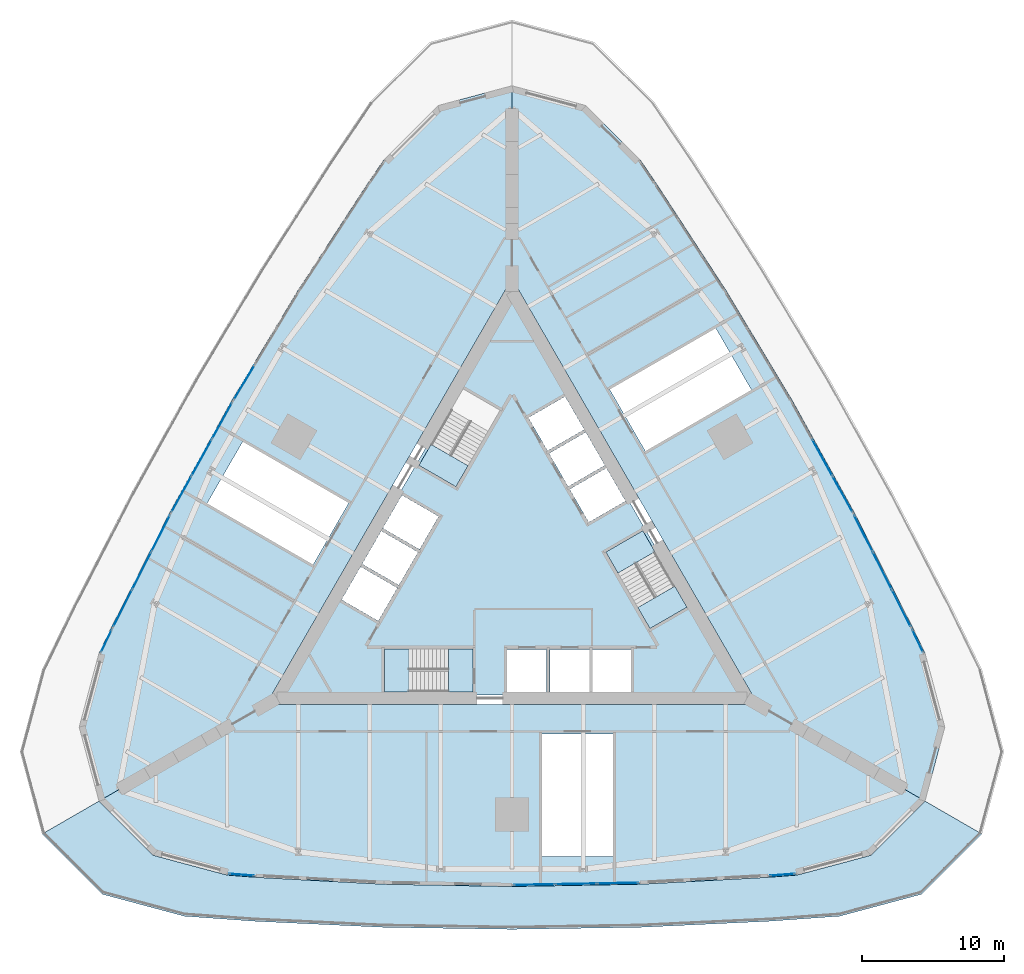
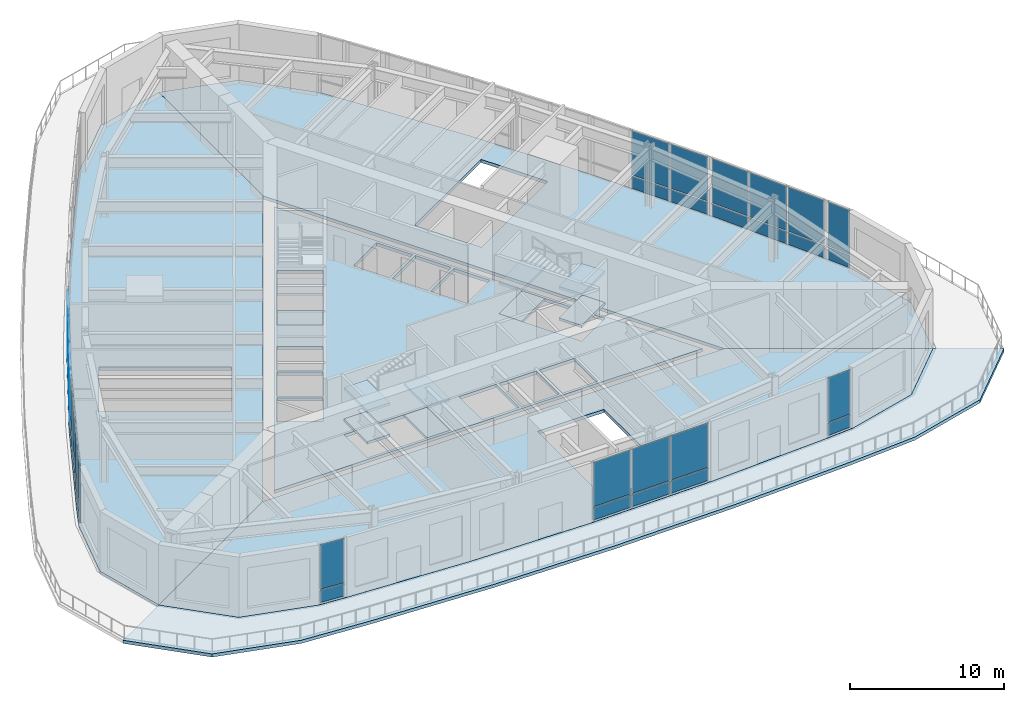
# One storey, part 6 of 13: 37 plates, 15 slabs, 13 elements without a shape of their own.
"""IFC4 building model written with IfcOpenShell, lengths in metres."""

from ifc_helpers import new_model, si_unit, direction, frame, origin, origin_2d, place, context, subcontext, project, spatial, polyline, rectangle, outline, extrude, material, layer, layer_set, type_object, element, aggregate, save


model = new_model("IFC4")

# Units and contexts
model_context = context("Model", 3, precision=1e-05, world=origin(), true_north=direction((0.0, 1.0)))
body_context = subcontext(model_context, "Body", "Model", "MODEL_VIEW")
ifc_project = project(units=[si_unit("LENGTHUNIT", "METRE"), si_unit("AREAUNIT", "SQUARE_METRE"), si_unit("VOLUMEUNIT", "CUBIC_METRE"), si_unit("PLANEANGLEUNIT", "RADIAN"), si_unit("MASSUNIT", "GRAM", prefix="KILO")], contexts=[model_context])

# Site, building, storey
site_placement = place(None, origin())
site = spatial("IfcSite", under=ifc_project, at=site_placement, CompositionType="ELEMENT")
building_placement = place(site_placement, origin())
building = spatial("IfcBuilding", under=site, at=building_placement, Name="Trikona Tower", CompositionType="ELEMENT")
storey_placement = place(building_placement, frame((0.0, 0.0, 17.5)))
storey = spatial("IfcBuildingStorey", under=building, at=storey_placement, Name="L03", CompositionType="ELEMENT", Elevation=17.5)

# Slabs
ifc_material_1 = material(Name="Concrete f'c 5000 psi lightweight on composite steel deck", Category="concrete")
ifc_layer_1 = layer(ifc_material_1, 0.25)
ifc_layer_set_1 = layer_set([ifc_layer_1], Name="Composite floor slab 250")
slab_type_1 = type_object("IfcSlabType", Name="Composite floor slab 250", PredefinedType="FLOOR", material=ifc_layer_set_1)
slab_1_placement = place(storey_placement, frame((0.0, 0.0, -0.25)))
element("IfcSlab", 1, at=slab_1_placement, inside=storey, type_object=slab_type_1, Name="Floor slab L03 core", PredefinedType="FLOOR", context=body_context, shape_type="SweptSolid", body=[
    extrude(outline(polyline([(-16.06689453125, -9.2763671875), (16.06689453125, -9.2763671875), (0.0, 18.552490234375), (-16.06689453125, -9.2763671875)]), holes=[polyline([(9.687255859375, -4.626220703125), (12.285400390625, -3.126220703125), (9.185302734375, 2.2431640625), (6.587158203125, 0.7431640625), (9.687255859375, -4.626220703125)]), polyline([(5.659912109375, -9.06640625), (8.340087890625, -9.06640625), (8.340087890625, -6.086181640625), (5.659912109375, -6.086181640625), (5.659912109375, -9.06640625)]), polyline([(4.05078125, 5.15625), (5.390869140625, 2.835205078125), (7.9716796875, 4.3251953125), (6.631591796875, 6.646240234375), (4.05078125, 5.15625)]), polyline([(5.181640625, 9.15771484375), (2.600830078125, 7.667724609375), (3.94091796875, 5.3466796875), (6.521484375, 6.8369140625), (5.181640625, 9.15771484375)]), polyline([(5.43994140625, -9.06640625), (5.43994140625, -6.086181640625), (2.659912109375, -6.086181640625), (2.659912109375, -9.06640625), (5.43994140625, -9.06640625)]), polyline([(5.071533203125, 9.34814453125), (3.731689453125, 11.669189453125), (1.15087890625, 10.17919921875), (2.490966796875, 7.858154296875), (5.071533203125, 9.34814453125)]), polyline([(2.43994140625, -6.086181640625), (-0.340087890625, -6.086181640625), (-0.340087890625, -9.06640625), (2.43994140625, -9.06640625), (2.43994140625, -6.086181640625)]), polyline([(-0.837158203125, 10.702392578125), (-3.435302734375, 12.202392578125), (-6.535400390625, 6.8330078125), (-3.937255859375, 5.3330078125), (-0.837158203125, 10.702392578125)]), polyline([(-8.949951171875, -6.076416015625), (-8.949951171875, -9.076416015625), (-2.75, -9.076416015625), (-2.75, -6.076416015625), (-8.949951171875, -6.076416015625)]), polyline([(-6.490966796875, 0.929931640625), (-5.15087890625, 3.2509765625), (-7.731689453125, 4.740966796875), (-9.071533203125, 2.419921875), (-6.490966796875, 0.929931640625)]), polyline([(-10.521484375, -0.09130859375), (-7.94091796875, -1.581298828125), (-6.600830078125, 0.739501953125), (-9.181640625, 2.2294921875), (-10.521484375, -0.09130859375)]), polyline([(-10.631591796875, -0.281982421875), (-11.9716796875, -2.602783203125), (-9.390869140625, -4.093017578125), (-8.05078125, -1.77197265625), (-10.631591796875, -0.281982421875)])]), origin(), (0.0, 0.0, 1.0), 0.25),
])
slab_2_placement = place(storey_placement, frame((0.0, 0.0, -0.25)))
element("IfcSlab", 2, at=slab_2_placement, inside=storey, type_object=slab_type_1, Name="Floor slab L03 south", PredefinedType="FLOOR", context=body_context, shape_type="SweptSolid", body=[
    extrude(outline(polyline([(29.0, -16.7431640625), (17.279296875, -9.976318359375), (-17.279296875, -9.976318359375), (-29.0, -16.7431640625), (-25.1962890625, -20.547119140625), (-20.0, -21.939208984375), (-18.0, -22.09130859375), (-9.0, -22.577392578125), (0.0, -22.7392578125), (9.0, -22.577392578125), (18.0, -22.09130859375), (20.0, -21.939208984375), (25.1962890625, -20.547119140625), (29.0, -16.7431640625)]), holes=[polyline([(2.10009765625, -20.626220703125), (7.10009765625, -20.626220703125), (7.10009765625, -12.0263671875), (2.10009765625, -12.0263671875), (2.10009765625, -20.626220703125)])]), origin(), (0.0, 0.0, 1.0), 0.25),
])
slab_3_placement = place(storey_placement, frame((0.0, 0.0, -0.25)))
element("IfcSlab", 3, at=slab_3_placement, inside=storey, type_object=slab_type_1, Name="Floor slab L03 north-east", PredefinedType="FLOOR", context=body_context, shape_type="SweptSolid", body=[
    extrude(outline(polyline([(19.69287109375, 11.36962890625), (15.052490234375, 19.0830078125), (10.131591796875, 26.634033203125), (9.0, 28.290283203125), (5.1962890625, 32.093994140625), (0.0, 33.486328125), (0.0, 19.95263671875), (17.279296875, -9.976318359375), (29.0, -16.7431640625), (30.392333984375, -11.547119140625), (29.0, -6.350830078125), (28.131591796875, -4.542724609375), (24.052490234375, 3.494384765625), (19.69287109375, 11.36962890625)]), holes=[polyline([(9.364990234375, 7.831787109375), (16.81298828125, 12.1318359375), (14.31298828125, 16.4619140625), (6.864990234375, 12.161865234375), (9.364990234375, 7.831787109375)])]), origin(), (0.0, 0.0, 1.0), 0.25),
])
slab_4_placement = place(storey_placement, frame((0.0, 0.0, -0.25)))
element("IfcSlab", 4, at=slab_4_placement, inside=storey, type_object=slab_type_1, Name="Floor slab L03 north-west", PredefinedType="FLOOR", context=body_context, shape_type="SweptSolid", body=[
    extrude(outline(polyline([(-30.392333984375, -11.547119140625), (-29.0, -16.7431640625), (-17.279296875, -9.976318359375), (0.0, 19.95263671875), (0.0, 33.486328125), (-5.1962890625, 32.093994140625), (-9.0, 28.290283203125), (-10.131591796875, 26.634033203125), (-15.052490234375, 19.0830078125), (-19.69287109375, 11.36962890625), (-24.052490234375, 3.494384765625), (-28.131591796875, -4.542724609375), (-29.0, -6.350830078125), (-30.392333984375, -11.547119140625)]), holes=[polyline([(-13.965087890625, -0.135498046875), (-11.465087890625, 4.194580078125), (-18.912841796875, 8.494384765625), (-21.412841796875, 4.164306640625), (-13.965087890625, -0.135498046875)])]), origin(), (0.0, 0.0, 1.0), 0.25),
])

# Curtain wall, plates
ifc_material_2 = material(Name="Aluminium curtain wall system", Category="aluminium")
curtain_wall_type = type_object("IfcCurtainWallType", Name="Curtain wall PD", PredefinedType="NOTDEFINED", material=ifc_material_2)
curtain_wall_1_placement = place(storey_placement, origin())
curtain_wall_1 = element("IfcCurtainWall", 5, at=curtain_wall_1_placement, inside=storey, type_object=curtain_wall_type, Name="Curtain wall PD L03", PredefinedType="NOTDEFINED")
ifc_material_3 = material(Name="Clear insulating glass unit", Category="glass")
ifc_layer_2 = layer(ifc_material_3, 0.028076171875)
ifc_layer_set_2 = layer_set([ifc_layer_2], Name="Glass panel PD")
plate_type = type_object("IfcPlateType", Name="Glass panel PD", PredefinedType="CURTAIN_PANEL", material=ifc_layer_set_2)
plate_1_placement = place(storey_placement, frame((-18.992431640625, -21.91552734375, 0.08984375), z_axis=(0.0, 0.0, 1.0), x_axis=(0.997124867606, -0.075775975095, 0.0)))
plate_1 = element("IfcPlate", 6, at=plate_1_placement, type_object=plate_type, Name="CW-PD panel 1.1", PredefinedType="CURTAIN_PANEL", context=body_context, shape_type="SweptSolid", body=[
    extrude(rectangle(XDim=1.705810546875, YDim=0.028076171875, at=origin_2d()), origin(), (0.0, 0.0, 1.0), 0.965087890625),
])
plate_2_placement = place(storey_placement, frame((-18.992431640625, -21.91552734375, 1.14501953125), z_axis=(0.0, 0.0, 1.0), x_axis=(0.997124867606, -0.075775975095, 0.0)))
plate_2 = element("IfcPlate", 7, at=plate_2_placement, type_object=plate_type, Name="CW-PD panel 1.2", PredefinedType="CURTAIN_PANEL", context=body_context, shape_type="SweptSolid", body=[
    extrude(rectangle(XDim=1.705810546875, YDim=0.028076171875, at=origin_2d()), origin(), (0.0, 0.0, 1.0), 3.514892578125),
])
aggregate(curtain_wall_1, [plate_1, plate_2])

curtain_wall_2_placement = place(storey_placement, origin())
curtain_wall_2 = element("IfcCurtainWall", 8, at=curtain_wall_2_placement, inside=storey, type_object=curtain_wall_type, Name="Curtain wall PD L03", PredefinedType="NOTDEFINED")
plate_3_placement = place(storey_placement, frame((1.560791015625, -22.611083984375, 0.08984375), z_axis=(0.0, 0.0, 1.0), x_axis=(0.999838120387, 0.017992582385, 0.0)))
plate_3 = element("IfcPlate", 9, at=plate_3_placement, type_object=plate_type, Name="CW-PD panel 1.1", PredefinedType="CURTAIN_PANEL", context=body_context, shape_type="SweptSolid", body=[
    extrude(rectangle(XDim=2.825439453125, YDim=0.028076171875, at=origin_2d()), origin(), (0.0, 0.0, 1.0), 0.965087890625),
])
plate_4_placement = place(storey_placement, frame((1.560791015625, -22.611083984375, 1.14501953125), z_axis=(0.0, 0.0, 1.0), x_axis=(0.999838120387, 0.017992582385, 0.0)))
plate_4 = element("IfcPlate", 10, at=plate_4_placement, type_object=plate_type, Name="CW-PD panel 1.2", PredefinedType="CURTAIN_PANEL", context=body_context, shape_type="SweptSolid", body=[
    extrude(rectangle(XDim=2.825439453125, YDim=0.028076171875, at=origin_2d()), origin(), (0.0, 0.0, 1.0), 3.514892578125),
])
plate_5_placement = place(storey_placement, frame((4.498291015625, -22.558349609375, 0.08984375), z_axis=(0.0, 0.0, 1.0), x_axis=(0.999838120387, 0.017992582385, 0.0)))
plate_5 = element("IfcPlate", 11, at=plate_5_placement, type_object=plate_type, Name="CW-PD panel 2.1", PredefinedType="CURTAIN_PANEL", context=body_context, shape_type="SweptSolid", body=[
    extrude(rectangle(XDim=2.870361328125, YDim=0.028076171875, at=origin_2d()), origin(), (0.0, 0.0, 1.0), 0.965087890625),
])
plate_6_placement = place(storey_placement, frame((4.498291015625, -22.558349609375, 1.14501953125), z_axis=(0.0, 0.0, 1.0), x_axis=(0.999838120387, 0.017992582385, 0.0)))
plate_6 = element("IfcPlate", 12, at=plate_6_placement, type_object=plate_type, Name="CW-PD panel 2.2", PredefinedType="CURTAIN_PANEL", context=body_context, shape_type="SweptSolid", body=[
    extrude(rectangle(XDim=2.870361328125, YDim=0.028076171875, at=origin_2d()), origin(), (0.0, 0.0, 1.0), 3.514892578125),
])
plate_7_placement = place(storey_placement, frame((7.435791015625, -22.50537109375, 0.08984375), z_axis=(0.0, 0.0, 1.0), x_axis=(0.999838120387, 0.017992582385, 0.0)))
plate_7 = element("IfcPlate", 13, at=plate_7_placement, type_object=plate_type, Name="CW-PD panel 3.1", PredefinedType="CURTAIN_PANEL", context=body_context, shape_type="SweptSolid", body=[
    extrude(rectangle(XDim=2.825439453125, YDim=0.028076171875, at=origin_2d()), origin(), (0.0, 0.0, 1.0), 0.965087890625),
])
plate_8_placement = place(storey_placement, frame((7.435791015625, -22.50537109375, 1.14501953125), z_axis=(0.0, 0.0, 1.0), x_axis=(0.999838120387, 0.017992582385, 0.0)))
plate_8 = element("IfcPlate", 14, at=plate_8_placement, type_object=plate_type, Name="CW-PD panel 3.2", PredefinedType="CURTAIN_PANEL", context=body_context, shape_type="SweptSolid", body=[
    extrude(rectangle(XDim=2.825439453125, YDim=0.028076171875, at=origin_2d()), origin(), (0.0, 0.0, 1.0), 3.514892578125),
])
aggregate(curtain_wall_2, [plate_3, plate_4, plate_5, plate_6, plate_7, plate_8])

curtain_wall_3_placement = place(storey_placement, origin())
curtain_wall_3 = element("IfcCurtainWall", 15, at=curtain_wall_3_placement, inside=storey, type_object=curtain_wall_type, Name="Curtain wall PD L03", PredefinedType="NOTDEFINED")
plate_9_placement = place(storey_placement, frame((18.992431640625, -21.91552734375, 0.08984375), z_axis=(0.0, 0.0, 1.0), x_axis=(0.997124867606, 0.075775975095, 0.0)))
plate_9 = element("IfcPlate", 16, at=plate_9_placement, type_object=plate_type, Name="CW-PD panel 1.1", PredefinedType="CURTAIN_PANEL", context=body_context, shape_type="SweptSolid", body=[
    extrude(rectangle(XDim=1.705810546875, YDim=0.028076171875, at=origin_2d()), origin(), (0.0, 0.0, 1.0), 0.965087890625),
])
plate_10_placement = place(storey_placement, frame((18.992431640625, -21.91552734375, 1.14501953125), z_axis=(0.0, 0.0, 1.0), x_axis=(0.997124867606, 0.075775975095, 0.0)))
plate_10 = element("IfcPlate", 17, at=plate_10_placement, type_object=plate_type, Name="CW-PD panel 1.2", PredefinedType="CURTAIN_PANEL", context=body_context, shape_type="SweptSolid", body=[
    extrude(rectangle(XDim=1.705810546875, YDim=0.028076171875, at=origin_2d()), origin(), (0.0, 0.0, 1.0), 3.514892578125),
])
aggregate(curtain_wall_3, [plate_9, plate_10])

curtain_wall_4_placement = place(storey_placement, origin())
curtain_wall_4 = element("IfcCurtainWall", 18, at=curtain_wall_4_placement, inside=storey, type_object=curtain_wall_type, Name="Curtain wall PD L03", PredefinedType="NOTDEFINED")
plate_11_placement = place(storey_placement, frame((28.4755859375, -5.490234375, 0.08984375), z_axis=(0.0, 0.0, 1.0), x_axis=(-0.432967227267, 0.901409662758, 0.0)))
plate_11 = element("IfcPlate", 19, at=plate_11_placement, type_object=plate_type, Name="CW-PD panel 1.1", PredefinedType="CURTAIN_PANEL", context=body_context, shape_type="SweptSolid", body=[
    extrude(rectangle(XDim=1.705810546875, YDim=0.028076171875, at=origin_2d()), origin(), (0.0, 0.0, 1.0), 0.965087890625),
])
plate_12_placement = place(storey_placement, frame((28.4755859375, -5.490234375, 1.14501953125), z_axis=(0.0, 0.0, 1.0), x_axis=(-0.432967227267, 0.901409662758, 0.0)))
plate_12 = element("IfcPlate", 20, at=plate_12_placement, type_object=plate_type, Name="CW-PD panel 1.2", PredefinedType="CURTAIN_PANEL", context=body_context, shape_type="SweptSolid", body=[
    extrude(rectangle(XDim=1.705810546875, YDim=0.028076171875, at=origin_2d()), origin(), (0.0, 0.0, 1.0), 3.514892578125),
])
aggregate(curtain_wall_4, [plate_11, plate_12])

curtain_wall_5_placement = place(storey_placement, origin())
curtain_wall_5 = element("IfcCurtainWall", 21, at=curtain_wall_5_placement, inside=storey, type_object=curtain_wall_type, Name="Curtain wall PD L03", PredefinedType="NOTDEFINED")
plate_13_placement = place(storey_placement, frame((27.334228515625, -3.19287109375, 0.08984375), z_axis=(0.0, 0.0, 1.0), x_axis=(-0.45257599441, 0.891725837511, 0.0)))
plate_13 = element("IfcPlate", 22, at=plate_13_placement, type_object=plate_type, Name="CW-PD panel 1.1", PredefinedType="CURTAIN_PANEL", context=body_context, shape_type="SweptSolid", body=[
    extrude(rectangle(XDim=2.829345703125, YDim=0.028076171875, at=origin_2d()), origin(), (0.0, 0.0, 1.0), 0.965087890625),
])
plate_14_placement = place(storey_placement, frame((27.334228515625, -3.19287109375, 1.14501953125), z_axis=(0.0, 0.0, 1.0), x_axis=(-0.45257599441, 0.891725837511, 0.0)))
plate_14 = element("IfcPlate", 23, at=plate_14_placement, type_object=plate_type, Name="CW-PD panel 1.2", PredefinedType="CURTAIN_PANEL", context=body_context, shape_type="SweptSolid", body=[
    extrude(rectangle(XDim=2.829345703125, YDim=0.028076171875, at=origin_2d()), origin(), (0.0, 0.0, 1.0), 3.514892578125),
])
plate_15_placement = place(storey_placement, frame((26.0029296875, -0.569580078125, 0.08984375), z_axis=(0.0, 0.0, 1.0), x_axis=(-0.45257599441, 0.891725837511, 0.0)))
plate_15 = element("IfcPlate", 24, at=plate_15_placement, type_object=plate_type, Name="CW-PD panel 2.1", PredefinedType="CURTAIN_PANEL", context=body_context, shape_type="SweptSolid", body=[
    extrude(rectangle(XDim=2.874267578125, YDim=0.028076171875, at=origin_2d()), origin(), (0.0, 0.0, 1.0), 0.965087890625),
])
plate_16_placement = place(storey_placement, frame((26.0029296875, -0.569580078125, 1.14501953125), z_axis=(0.0, 0.0, 1.0), x_axis=(-0.45257599441, 0.891725837511, 0.0)))
plate_16 = element("IfcPlate", 25, at=plate_16_placement, type_object=plate_type, Name="CW-PD panel 2.2", PredefinedType="CURTAIN_PANEL", context=body_context, shape_type="SweptSolid", body=[
    extrude(rectangle(XDim=2.874267578125, YDim=0.028076171875, at=origin_2d()), origin(), (0.0, 0.0, 1.0), 3.514892578125),
])
plate_17_placement = place(storey_placement, frame((24.67138671875, 2.053955078125, 0.08984375), z_axis=(0.0, 0.0, 1.0), x_axis=(-0.45257599441, 0.891725837511, 0.0)))
plate_17 = element("IfcPlate", 26, at=plate_17_placement, type_object=plate_type, Name="CW-PD panel 3.1", PredefinedType="CURTAIN_PANEL", context=body_context, shape_type="SweptSolid", body=[
    extrude(rectangle(XDim=2.829345703125, YDim=0.028076171875, at=origin_2d()), origin(), (0.0, 0.0, 1.0), 0.965087890625),
])
plate_18_placement = place(storey_placement, frame((24.67138671875, 2.053955078125, 1.14501953125), z_axis=(0.0, 0.0, 1.0), x_axis=(-0.45257599441, 0.891725837511, 0.0)))
plate_18 = element("IfcPlate", 27, at=plate_18_placement, type_object=plate_type, Name="CW-PD panel 3.2", PredefinedType="CURTAIN_PANEL", context=body_context, shape_type="SweptSolid", body=[
    extrude(rectangle(XDim=2.829345703125, YDim=0.028076171875, at=origin_2d()), origin(), (0.0, 0.0, 1.0), 3.514892578125),
])
aggregate(curtain_wall_5, [plate_13, plate_14, plate_15, plate_16, plate_17, plate_18])

curtain_wall_6_placement = place(storey_placement, origin())
curtain_wall_6 = element("IfcCurtainWall", 28, at=curtain_wall_6_placement, inside=storey, type_object=curtain_wall_type, Name="Curtain wall PD L03", PredefinedType="NOTDEFINED")
plate_19_placement = place(storey_placement, frame((23.208251953125, 4.813232421875, 0.08984375), z_axis=(0.0, 0.0, 1.0), x_axis=(-0.484331734497, 0.874884432916, 0.0)))
plate_19 = element("IfcPlate", 29, at=plate_19_placement, type_object=plate_type, Name="CW-PD panel 1.1", PredefinedType="CURTAIN_PANEL", context=body_context, shape_type="SweptSolid", body=[
    extrude(rectangle(XDim=2.825439453125, YDim=0.028076171875, at=origin_2d()), origin(), (0.0, 0.0, 1.0), 0.965087890625),
])
plate_20_placement = place(storey_placement, frame((23.208251953125, 4.813232421875, 1.14501953125), z_axis=(0.0, 0.0, 1.0), x_axis=(-0.484331734497, 0.874884432916, 0.0)))
plate_20 = element("IfcPlate", 30, at=plate_20_placement, type_object=plate_type, Name="CW-PD panel 1.2", PredefinedType="CURTAIN_PANEL", context=body_context, shape_type="SweptSolid", body=[
    extrude(rectangle(XDim=2.825439453125, YDim=0.028076171875, at=origin_2d()), origin(), (0.0, 0.0, 1.0), 3.514892578125),
])
plate_21_placement = place(storey_placement, frame((21.78515625, 7.383544921875, 0.08984375), z_axis=(0.0, 0.0, 1.0), x_axis=(-0.484331734497, 0.874884432916, 0.0)))
plate_21 = element("IfcPlate", 31, at=plate_21_placement, type_object=plate_type, Name="CW-PD panel 2.1", PredefinedType="CURTAIN_PANEL", context=body_context, shape_type="SweptSolid", body=[
    extrude(rectangle(XDim=2.87060546875, YDim=0.028076171875, at=origin_2d()), origin(), (0.0, 0.0, 1.0), 0.965087890625),
])
plate_22_placement = place(storey_placement, frame((21.78515625, 7.383544921875, 1.14501953125), z_axis=(0.0, 0.0, 1.0), x_axis=(-0.484331734497, 0.874884432916, 0.0)))
plate_22 = element("IfcPlate", 32, at=plate_22_placement, type_object=plate_type, Name="CW-PD panel 2.2", PredefinedType="CURTAIN_PANEL", context=body_context, shape_type="SweptSolid", body=[
    extrude(rectangle(XDim=2.87060546875, YDim=0.028076171875, at=origin_2d()), origin(), (0.0, 0.0, 1.0), 3.514892578125),
])
aggregate(curtain_wall_6, [plate_19, plate_20, plate_21, plate_22])

# Curtain wall, plate
curtain_wall_7_placement = place(storey_placement, origin())
curtain_wall_7 = element("IfcCurtainWall", 33, at=curtain_wall_7_placement, inside=storey, type_object=curtain_wall_type, Name="Curtain wall PD L03", PredefinedType="NOTDEFINED")
plate_23_placement = place(storey_placement, frame((-18.801513671875, 12.6572265625, 0.08984375), z_axis=(0.0, 0.0, 1.0), x_axis=(-0.51551536802, -0.856880333147, 0.0)))
plate_23 = element("IfcPlate", 34, at=plate_23_placement, type_object=plate_type, Name="CW-PD panel 3.1", PredefinedType="CURTAIN_PANEL", context=body_context, shape_type="SweptSolid", body=[
    extrude(rectangle(XDim=2.825439453125, YDim=0.028076171875, at=origin_2d()), origin(), (0.0, 0.0, 1.0), 0.965087890625),
])
aggregate(curtain_wall_7, [plate_23])

# Curtain wall, plates
curtain_wall_8_placement = place(storey_placement, origin())
curtain_wall_8 = element("IfcCurtainWall", 35, at=curtain_wall_8_placement, inside=storey, type_object=curtain_wall_type, Name="Curtain wall PD L03", PredefinedType="NOTDEFINED")
plate_24_placement = place(storey_placement, frame((-20.3623046875, 9.9541015625, 0.08984375), z_axis=(0.0, 0.0, 1.0), x_axis=(-0.484331734497, -0.874884432916, 0.0)))
plate_24 = element("IfcPlate", 36, at=plate_24_placement, type_object=plate_type, Name="CW-PD panel 1.1", PredefinedType="CURTAIN_PANEL", context=body_context, shape_type="SweptSolid", body=[
    extrude(rectangle(XDim=2.825439453125, YDim=0.028076171875, at=origin_2d()), origin(), (0.0, 0.0, 1.0), 0.965087890625),
])
plate_25_placement = place(storey_placement, frame((-20.3623046875, 9.9541015625, 1.14501953125), z_axis=(0.0, 0.0, 1.0), x_axis=(-0.484331734497, -0.874884432916, 0.0)))
plate_25 = element("IfcPlate", 37, at=plate_25_placement, type_object=plate_type, Name="CW-PD panel 1.2", PredefinedType="CURTAIN_PANEL", context=body_context, shape_type="SweptSolid", body=[
    extrude(rectangle(XDim=2.825439453125, YDim=0.028076171875, at=origin_2d()), origin(), (0.0, 0.0, 1.0), 3.514892578125),
])
plate_26_placement = place(storey_placement, frame((-21.78515625, 7.383544921875, 0.08984375), z_axis=(0.0, 0.0, 1.0), x_axis=(-0.484331734497, -0.874884432916, 0.0)))
plate_26 = element("IfcPlate", 38, at=plate_26_placement, type_object=plate_type, Name="CW-PD panel 2.1", PredefinedType="CURTAIN_PANEL", context=body_context, shape_type="SweptSolid", body=[
    extrude(rectangle(XDim=2.87060546875, YDim=0.028076171875, at=origin_2d()), origin(), (0.0, 0.0, 1.0), 0.965087890625),
])
plate_27_placement = place(storey_placement, frame((-21.78515625, 7.383544921875, 1.14501953125), z_axis=(0.0, 0.0, 1.0), x_axis=(-0.484331734497, -0.874884432916, 0.0)))
plate_27 = element("IfcPlate", 39, at=plate_27_placement, type_object=plate_type, Name="CW-PD panel 2.2", PredefinedType="CURTAIN_PANEL", context=body_context, shape_type="SweptSolid", body=[
    extrude(rectangle(XDim=2.87060546875, YDim=0.028076171875, at=origin_2d()), origin(), (0.0, 0.0, 1.0), 3.514892578125),
])
plate_28_placement = place(storey_placement, frame((-23.208251953125, 4.813232421875, 0.08984375), z_axis=(0.0, 0.0, 1.0), x_axis=(-0.484331734497, -0.874884432916, 0.0)))
plate_28 = element("IfcPlate", 40, at=plate_28_placement, type_object=plate_type, Name="CW-PD panel 3.1", PredefinedType="CURTAIN_PANEL", context=body_context, shape_type="SweptSolid", body=[
    extrude(rectangle(XDim=2.825439453125, YDim=0.028076171875, at=origin_2d()), origin(), (0.0, 0.0, 1.0), 0.965087890625),
])
plate_29_placement = place(storey_placement, frame((-23.208251953125, 4.813232421875, 1.14501953125), z_axis=(0.0, 0.0, 1.0), x_axis=(-0.484331734497, -0.874884432916, 0.0)))
plate_29 = element("IfcPlate", 41, at=plate_29_placement, type_object=plate_type, Name="CW-PD panel 3.2", PredefinedType="CURTAIN_PANEL", context=body_context, shape_type="SweptSolid", body=[
    extrude(rectangle(XDim=2.825439453125, YDim=0.028076171875, at=origin_2d()), origin(), (0.0, 0.0, 1.0), 3.514892578125),
])
aggregate(curtain_wall_8, [plate_24, plate_25, plate_26, plate_27, plate_28, plate_29])

curtain_wall_9_placement = place(storey_placement, origin())
curtain_wall_9 = element("IfcCurtainWall", 42, at=curtain_wall_9_placement, inside=storey, type_object=curtain_wall_type, Name="Curtain wall PD L03", PredefinedType="NOTDEFINED")
plate_30_placement = place(storey_placement, frame((-24.67138671875, 2.053955078125, 0.08984375), z_axis=(0.0, 0.0, 1.0), x_axis=(-0.45257599441, -0.891725837511, 0.0)))
plate_30 = element("IfcPlate", 43, at=plate_30_placement, type_object=plate_type, Name="CW-PD panel 1.1", PredefinedType="CURTAIN_PANEL", context=body_context, shape_type="SweptSolid", body=[
    extrude(rectangle(XDim=2.829345703125, YDim=0.028076171875, at=origin_2d()), origin(), (0.0, 0.0, 1.0), 0.965087890625),
])
plate_31_placement = place(storey_placement, frame((-24.67138671875, 2.053955078125, 1.14501953125), z_axis=(0.0, 0.0, 1.0), x_axis=(-0.45257599441, -0.891725837511, 0.0)))
plate_31 = element("IfcPlate", 44, at=plate_31_placement, type_object=plate_type, Name="CW-PD panel 1.2", PredefinedType="CURTAIN_PANEL", context=body_context, shape_type="SweptSolid", body=[
    extrude(rectangle(XDim=2.829345703125, YDim=0.028076171875, at=origin_2d()), origin(), (0.0, 0.0, 1.0), 3.514892578125),
])
plate_32_placement = place(storey_placement, frame((-26.0029296875, -0.569580078125, 0.08984375), z_axis=(0.0, 0.0, 1.0), x_axis=(-0.45257599441, -0.891725837511, 0.0)))
plate_32 = element("IfcPlate", 45, at=plate_32_placement, type_object=plate_type, Name="CW-PD panel 2.1", PredefinedType="CURTAIN_PANEL", context=body_context, shape_type="SweptSolid", body=[
    extrude(rectangle(XDim=2.874267578125, YDim=0.028076171875, at=origin_2d()), origin(), (0.0, 0.0, 1.0), 0.965087890625),
])
plate_33_placement = place(storey_placement, frame((-26.0029296875, -0.569580078125, 1.14501953125), z_axis=(0.0, 0.0, 1.0), x_axis=(-0.45257599441, -0.891725837511, 0.0)))
plate_33 = element("IfcPlate", 46, at=plate_33_placement, type_object=plate_type, Name="CW-PD panel 2.2", PredefinedType="CURTAIN_PANEL", context=body_context, shape_type="SweptSolid", body=[
    extrude(rectangle(XDim=2.874267578125, YDim=0.028076171875, at=origin_2d()), origin(), (0.0, 0.0, 1.0), 3.514892578125),
])
plate_34_placement = place(storey_placement, frame((-27.334228515625, -3.19287109375, 0.08984375), z_axis=(0.0, 0.0, 1.0), x_axis=(-0.45257599441, -0.891725837511, 0.0)))
plate_34 = element("IfcPlate", 47, at=plate_34_placement, type_object=plate_type, Name="CW-PD panel 3.1", PredefinedType="CURTAIN_PANEL", context=body_context, shape_type="SweptSolid", body=[
    extrude(rectangle(XDim=2.829345703125, YDim=0.028076171875, at=origin_2d()), origin(), (0.0, 0.0, 1.0), 0.965087890625),
])
plate_35_placement = place(storey_placement, frame((-27.334228515625, -3.19287109375, 1.14501953125), z_axis=(0.0, 0.0, 1.0), x_axis=(-0.45257599441, -0.891725837511, 0.0)))
plate_35 = element("IfcPlate", 48, at=plate_35_placement, type_object=plate_type, Name="CW-PD panel 3.2", PredefinedType="CURTAIN_PANEL", context=body_context, shape_type="SweptSolid", body=[
    extrude(rectangle(XDim=2.829345703125, YDim=0.028076171875, at=origin_2d()), origin(), (0.0, 0.0, 1.0), 3.514892578125),
])
aggregate(curtain_wall_9, [plate_30, plate_31, plate_32, plate_33, plate_34, plate_35])

curtain_wall_10_placement = place(storey_placement, origin())
curtain_wall_10 = element("IfcCurtainWall", 49, at=curtain_wall_10_placement, inside=storey, type_object=curtain_wall_type, Name="Curtain wall PD L03", PredefinedType="NOTDEFINED")
plate_36_placement = place(storey_placement, frame((-28.4755859375, -5.490234375, 0.08984375), z_axis=(0.0, 0.0, 1.0), x_axis=(-0.432967227267, -0.901409662758, 0.0)))
plate_36 = element("IfcPlate", 50, at=plate_36_placement, type_object=plate_type, Name="CW-PD panel 1.1", PredefinedType="CURTAIN_PANEL", context=body_context, shape_type="SweptSolid", body=[
    extrude(rectangle(XDim=1.705810546875, YDim=0.028076171875, at=origin_2d()), origin(), (0.0, 0.0, 1.0), 0.965087890625),
])
plate_37_placement = place(storey_placement, frame((-28.4755859375, -5.490234375, 1.14501953125), z_axis=(0.0, 0.0, 1.0), x_axis=(-0.432967227267, -0.901409662758, 0.0)))
plate_37 = element("IfcPlate", 51, at=plate_37_placement, type_object=plate_type, Name="CW-PD panel 1.2", PredefinedType="CURTAIN_PANEL", context=body_context, shape_type="SweptSolid", body=[
    extrude(rectangle(XDim=1.705810546875, YDim=0.028076171875, at=origin_2d()), origin(), (0.0, 0.0, 1.0), 3.514892578125),
])
aggregate(curtain_wall_10, [plate_36, plate_37])

# Stair, slabs
ifc_material_4 = material(Name="Concrete f'c 5000 psi", Category="concrete")
stair_type = type_object("IfcStairType", Name="Core stair", PredefinedType="HALF_TURN_STAIR", material=ifc_material_4)
stair_1_placement = place(storey_placement, origin())
stair_1 = element("IfcStair", 52, at=stair_1_placement, inside=storey, type_object=stair_type, Name="Stair A L03", PredefinedType="HALF_TURN_STAIR")
ifc_material_5 = material(Name="Concrete f'c 5000 psi", Category="concrete")
ifc_layer_3 = layer(ifc_material_5, 0.199951171875)
ifc_layer_set_3 = layer_set([ifc_layer_3], Name="Stair landing 200")
slab_type_2 = type_object("IfcSlabType", Name="Stair landing 200", PredefinedType="LANDING", material=ifc_layer_set_3)
slab_5_placement = place(storey_placement, frame((0.0, 0.0, -0.199951171875)))
slab_5 = element("IfcSlab", 53, at=slab_5_placement, type_object=slab_type_2, Name="ST-A landing 1", PredefinedType="LANDING", context=body_context, shape_type="SweptSolid", body=[
    extrude(outline(polyline([(-4.452880859375, -6.076416015625), (-2.75, -6.076416015625), (-2.75, -9.076416015625), (-4.452880859375, -9.076416015625), (-4.452880859375, -6.076416015625)])), origin(), (0.0, 0.0, 1.0), 0.199951171875),
])
slab_6_placement = place(storey_placement, frame((0.0, 0.0, 1.050048828125)))
slab_6 = element("IfcSlab", 54, at=slab_6_placement, type_object=slab_type_2, Name="ST-A landing 2", PredefinedType="LANDING", context=body_context, shape_type="SweptSolid", body=[
    extrude(outline(polyline([(-8.949951171875, -6.076416015625), (-7.2470703125, -6.076416015625), (-7.2470703125, -9.076416015625), (-8.949951171875, -9.076416015625), (-8.949951171875, -6.076416015625)])), origin(), (0.0, 0.0, 1.0), 0.199951171875),
])
slab_7_placement = place(storey_placement, frame((0.0, 0.0, 2.300048828125)))
slab_7 = element("IfcSlab", 55, at=slab_7_placement, type_object=slab_type_2, Name="ST-A landing 3", PredefinedType="LANDING", context=body_context, shape_type="SweptSolid", body=[
    extrude(outline(polyline([(-4.452880859375, -6.076416015625), (-2.75, -6.076416015625), (-2.75, -9.076416015625), (-4.452880859375, -9.076416015625), (-4.452880859375, -6.076416015625)])), origin(), (0.0, 0.0, 1.0), 0.199951171875),
])
slab_8_placement = place(storey_placement, frame((0.0, 0.0, 3.550048828125)))
slab_8 = element("IfcSlab", 56, at=slab_8_placement, type_object=slab_type_2, Name="ST-A landing 4", PredefinedType="LANDING", context=body_context, shape_type="SweptSolid", body=[
    extrude(outline(polyline([(-8.949951171875, -6.076416015625), (-7.2470703125, -6.076416015625), (-7.2470703125, -9.076416015625), (-8.949951171875, -9.076416015625), (-8.949951171875, -6.076416015625)])), origin(), (0.0, 0.0, 1.0), 0.199951171875),
])
aggregate(stair_1, [slab_5, slab_6, slab_7, slab_8])

stair_2_placement = place(storey_placement, origin())
stair_2 = element("IfcStair", 57, at=stair_2_placement, inside=storey, type_object=stair_type, Name="Stair B L03", PredefinedType="HALF_TURN_STAIR")
slab_9_placement = place(storey_placement, frame((0.0, 0.0, -0.199951171875)))
slab_9 = element("IfcSlab", 58, at=slab_9_placement, type_object=slab_type_2, Name="ST-B landing 1", PredefinedType="LANDING", context=body_context, shape_type="SweptSolid", body=[
    extrude(outline(polyline([(7.438720703125, -0.731689453125), (6.587158203125, 0.7431640625), (9.185302734375, 2.2431640625), (10.036865234375, 0.768310546875), (7.438720703125, -0.731689453125)])), origin(), (0.0, 0.0, 1.0), 0.199951171875),
])
slab_10_placement = place(storey_placement, frame((0.0, 0.0, 1.050048828125)))
slab_10 = element("IfcSlab", 59, at=slab_10_placement, type_object=slab_type_2, Name="ST-B landing 2", PredefinedType="LANDING", context=body_context, shape_type="SweptSolid", body=[
    extrude(outline(polyline([(9.687255859375, -4.626220703125), (8.835693359375, -3.1513671875), (11.433837890625, -1.6513671875), (12.285400390625, -3.126220703125), (9.687255859375, -4.626220703125)])), origin(), (0.0, 0.0, 1.0), 0.199951171875),
])
slab_11_placement = place(storey_placement, frame((0.0, 0.0, 2.300048828125)))
slab_11 = element("IfcSlab", 60, at=slab_11_placement, type_object=slab_type_2, Name="ST-B landing 3", PredefinedType="LANDING", context=body_context, shape_type="SweptSolid", body=[
    extrude(outline(polyline([(7.438720703125, -0.731689453125), (6.587158203125, 0.7431640625), (9.185302734375, 2.2431640625), (10.036865234375, 0.768310546875), (7.438720703125, -0.731689453125)])), origin(), (0.0, 0.0, 1.0), 0.199951171875),
])
slab_12_placement = place(storey_placement, frame((0.0, 0.0, 3.550048828125)))
slab_12 = element("IfcSlab", 61, at=slab_12_placement, type_object=slab_type_2, Name="ST-B landing 4", PredefinedType="LANDING", context=body_context, shape_type="SweptSolid", body=[
    extrude(outline(polyline([(9.687255859375, -4.626220703125), (8.835693359375, -3.1513671875), (11.433837890625, -1.6513671875), (12.285400390625, -3.126220703125), (9.687255859375, -4.626220703125)])), origin(), (0.0, 0.0, 1.0), 0.199951171875),
])
aggregate(stair_2, [slab_9, slab_10, slab_11, slab_12])

stair_3_placement = place(storey_placement, origin())
stair_3 = element("IfcStair", 62, at=stair_3_placement, inside=storey, type_object=stair_type, Name="Stair C L03", PredefinedType="HALF_TURN_STAIR")
slab_13_placement = place(storey_placement, frame((0.0, 0.0, -0.199951171875)))
slab_13 = element("IfcSlab", 63, at=slab_13_placement, type_object=slab_type_2, Name="ST-C landing 1", PredefinedType="LANDING", context=body_context, shape_type="SweptSolid", body=[
    extrude(outline(polyline([(-3.085693359375, 6.807861328125), (-3.937255859375, 5.3330078125), (-6.535400390625, 6.8330078125), (-5.683837890625, 8.307861328125), (-3.085693359375, 6.807861328125)])), origin(), (0.0, 0.0, 1.0), 0.199951171875),
])
slab_14_placement = place(storey_placement, frame((0.0, 0.0, 2.300048828125)))
slab_14 = element("IfcSlab", 64, at=slab_14_placement, type_object=slab_type_2, Name="ST-C landing 3", PredefinedType="LANDING", context=body_context, shape_type="SweptSolid", body=[
    extrude(outline(polyline([(-3.085693359375, 6.807861328125), (-3.937255859375, 5.3330078125), (-6.535400390625, 6.8330078125), (-5.683837890625, 8.307861328125), (-3.085693359375, 6.807861328125)])), origin(), (0.0, 0.0, 1.0), 0.199951171875),
])
aggregate(stair_3, [slab_13, slab_14])

# Slab
ifc_material_6 = material(Name="Concrete f'c 5000 psi on composite steel deck", Category="concrete")
ifc_layer_4 = layer(ifc_material_6, 0.25)
ifc_layer_set_4 = layer_set([ifc_layer_4], Name="Terrace slab 250")
slab_type_3 = type_object("IfcSlabType", Name="Terrace slab 250", PredefinedType="ROOF", material=ifc_layer_set_4)
slab_15_placement = place(storey_placement, frame((0.0, 0.0, -0.25)))
element("IfcSlab", 65, at=slab_15_placement, inside=storey, type_object=slab_type_3, Name="Terrace L03 south part 1", PredefinedType="ROOF", context=body_context, shape_type="SweptSolid", body=[
    extrude(outline(polyline([(-33.0, -19.052490234375), (-28.7734375, -23.279052734375), (-23.0, -24.826171875), (-18.0, -25.1826171875), (-9.0, -25.605224609375), (0.0, -25.74609375), (9.0, -25.605224609375), (18.0, -25.1826171875), (23.0, -24.826171875), (28.7734375, -23.279052734375), (33.0, -19.052490234375), (29.0009765625, -16.74365234375), (25.19677734375, -20.5478515625), (20.000244140625, -21.940185546875), (18.0, -22.09228515625), (9.0, -22.578369140625), (0.0, -22.740234375), (-9.0, -22.578369140625), (-18.0, -22.09228515625), (-20.000244140625, -21.940185546875), (-25.19677734375, -20.5478515625), (-29.0009765625, -16.74365234375), (-33.0, -19.052490234375)])), origin(), (0.0, 0.0, 1.0), 0.25),
])

save(model, "model.ifc")
